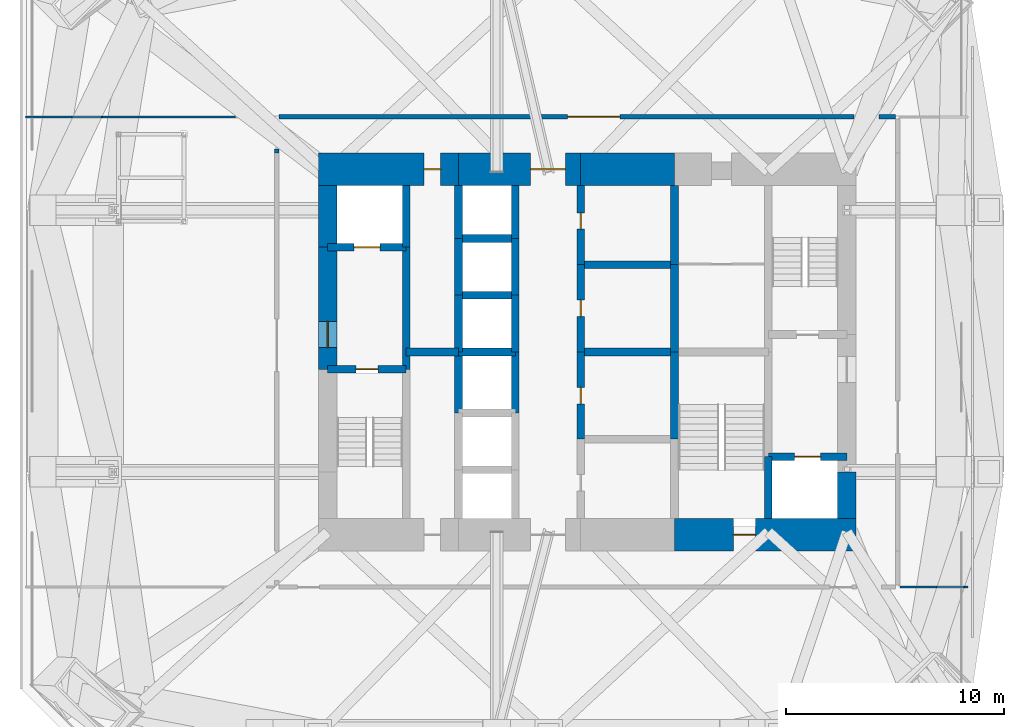
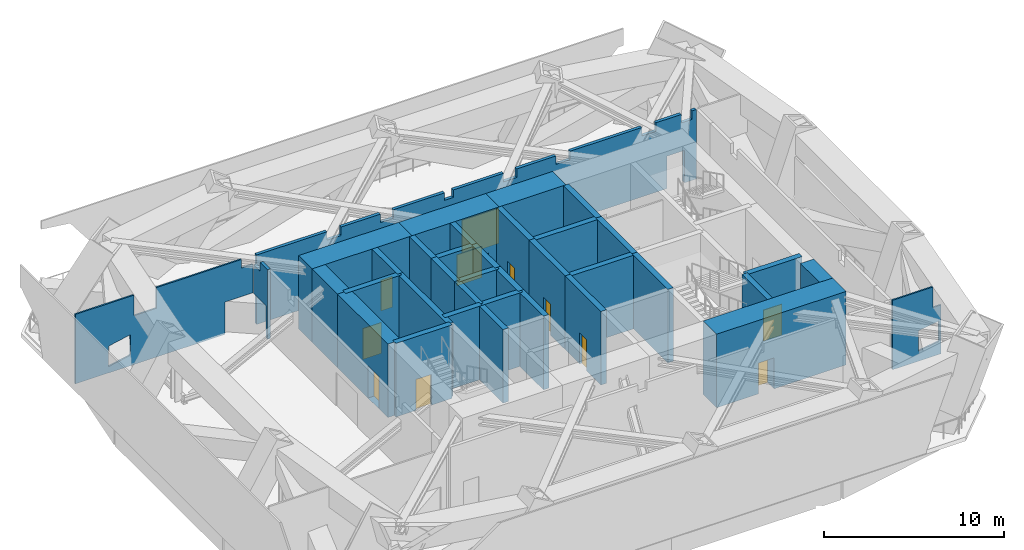
# One storey, part 6 of 11: 37 walls, 11 doors, 11 openings.
"""IFC4 building model written with IfcOpenShell, lengths in metres."""

from ifc_helpers import new_model, si_unit, direction, frame, frame_2d, origin, place, context, subcontext, project, spatial, polyline, rectangle, outline, extrude, material, layer, layer_set, constituent, constituent_set, type_object, element, fill, save


model = new_model("IFC4")

# Units and contexts
model_context = context("Model", 3, precision=1e-05, world=origin(), true_north=direction((0.0, 1.0)))
body_context = subcontext(model_context, "Body", "Model", "MODEL_VIEW")
ifc_project = project(units=[si_unit("LENGTHUNIT", "METRE"), si_unit("AREAUNIT", "SQUARE_METRE"), si_unit("VOLUMEUNIT", "CUBIC_METRE"), si_unit("PLANEANGLEUNIT", "RADIAN"), si_unit("MASSUNIT", "GRAM", prefix="KILO")], contexts=[model_context])

# Site, building, storey
site_placement = place(None, origin())
site = spatial("IfcSite", under=ifc_project, at=site_placement, CompositionType="ELEMENT")
building_placement = place(site_placement, origin())
building = spatial("IfcBuilding", under=site, at=building_placement, Name="Jalousie Tower", CompositionType="ELEMENT")
storey_placement = place(building_placement, frame((0.0, 0.0, 144.35009765625)))
storey = spatial("IfcBuildingStorey", under=building, at=storey_placement, Name="L39", CompositionType="ELEMENT", Elevation=144.35009765625)

# Wall, opening, door
ifc_material_1 = material(Name="Concrete f'c 120 MPa", Category="concrete")
ifc_layer_1 = layer(ifc_material_1, 1.5)
ifc_layer_set_1 = layer_set([ifc_layer_1], Name="Concrete f'c 120 MPa")
wall_type_1 = type_object("IfcWallType", Name="CORE WALL 1500", PredefinedType="SHEAR", material=ifc_layer_set_1)
wall_1_placement = place(storey_placement, frame((35.89990234375, 10.125, 0.0), z_axis=(0.0, 0.0, 1.0), x_axis=(1.0, 0.0, 0.0)))
wall_1 = element("IfcWall", 1, at=wall_1_placement, inside=storey, type_object=wall_type_1, Name="Core wall SD L39", PredefinedType="SHEAR", context=body_context, shape_type="SweptSolid", body=[
    extrude(rectangle(XDim=8.3251953125, YDim=1.5, at=frame_2d((4.16259765625, 0.0))), origin(), (0.0, 0.0, 1.0), 5.0),
])
opening_1_placement = place(wall_1_placement, frame((2.699951171875, 0.0, 0.0)))
opening_1 = element("IfcOpeningElement", 2, at=opening_1_placement, cuts=wall_1, Name="Opening D10", PredefinedType="OPENING", context=body_context, shape_type="SweptSolid", body=[
    extrude(rectangle(XDim=1.0, YDim=2.10009765625, at=frame_2d((0.5, 1.050048828125))), frame((0.0, 0.760009765625, 0.0), z_axis=(0.0, -1.0, 0.0), x_axis=(1.0, 0.0, 0.0)), (0.0, 0.0, 1.0), 1.52001953125),
])
ifc_material_2 = material(Name="Steel fire door", Category="steel")
door_type_1 = type_object("IfcDoorType", Name="STAIR DOOR 1000", OperationType="SINGLE_SWING_LEFT", PredefinedType="DOOR", material=ifc_material_2)
door_1_placement = place(opening_1_placement, origin())
door_1 = element("IfcDoor", 3, at=door_1_placement, inside=storey, type_object=door_type_1, Name="Exit stair C door", OperationType="SINGLE_SWING_RIGHT", OverallHeight=2.10009765625, OverallWidth=1.0, PredefinedType="DOOR", context=body_context, shape_type="SweptSolid", body=[
    extrude(rectangle(XDim=1.0, YDim=2.10009765625, at=frame_2d((0.5, 1.050048828125))), frame((0.0, 0.02490234375, 0.0), z_axis=(0.0, -1.0, 0.0), x_axis=(1.0, 0.0, 0.0)), (0.0, 0.0, 1.0), 0.050048828125),
])
fill(opening_1, door_1)

# Wall
wall_2_placement = place(storey_placement, frame((35.89990234375, 26.875, 0.0), z_axis=(0.0, 0.0, 1.0), x_axis=(-1.0, 0.0, 0.0)))
element("IfcWall", 4, at=wall_2_placement, inside=storey, type_object=wall_type_1, Name="Core wall NB L39", PredefinedType="SHEAR", context=body_context, shape_type="SweptSolid", body=[
    extrude(rectangle(XDim=4.2998046875, YDim=1.5, at=frame_2d((2.14990234375, 0.0))), origin(), (0.0, 0.0, 1.0), 5.0),
])

# Wall, opening, door
wall_3_placement = place(storey_placement, frame((31.60009765625, 26.875, 0.0), z_axis=(0.0, 0.0, 1.0), x_axis=(-1.0, 0.0, 0.0)))
wall_3 = element("IfcWall", 5, at=wall_3_placement, inside=storey, type_object=wall_type_1, Name="Core wall NC L39", PredefinedType="SHEAR", context=body_context, shape_type="SweptSolid", body=[
    extrude(rectangle(XDim=5.60009765625, YDim=1.5, at=frame_2d((2.800048828125, 0.0))), origin(), (0.0, 0.0, 1.0), 5.0),
])
opening_2_placement = place(wall_3_placement, frame((0.699951171875, 0.0, 0.0)))
opening_2 = element("IfcOpeningElement", 6, at=opening_2_placement, cuts=wall_3, Name="Opening D15", PredefinedType="OPENING", context=body_context, shape_type="SweptSolid", body=[
    extrude(rectangle(XDim=1.60009765625, YDim=2.10009765625, at=frame_2d((0.800048828125, 1.050048828125))), frame((0.0, 0.760009765625, 0.0), z_axis=(0.0, -1.0, 0.0), x_axis=(1.0, 0.0, 0.0)), (0.0, 0.0, 1.0), 1.52001953125),
])
ifc_material_3 = material(Name="Steel fire door", Category="steel")
door_type_2 = type_object("IfcDoorType", Name="LIFT LOBBY DOOR 1600", OperationType="DOUBLE_DOOR_SINGLE_SWING", PredefinedType="DOOR", material=ifc_material_3)
door_2_placement = place(opening_2_placement, origin())
door_2 = element("IfcDoor", 7, at=door_2_placement, inside=storey, type_object=door_type_2, Name="Lift lobby north door", OperationType="DOUBLE_DOOR_SINGLE_SWING", OverallHeight=2.10009765625, OverallWidth=1.60009765625, PredefinedType="DOOR", context=body_context, shape_type="SweptSolid", body=[
    extrude(rectangle(XDim=1.60009765625, YDim=2.10009765625, at=frame_2d((0.800048828125, 1.050048828125))), frame((0.0, 0.02490234375, 0.0), z_axis=(0.0, -1.0, 0.0), x_axis=(1.0, 0.0, 0.0)), (0.0, 0.0, 1.0), 0.050048828125),
])
fill(opening_2, door_2)

wall_4_placement = place(storey_placement, frame((26.0, 26.875, 0.0), z_axis=(0.0, 0.0, 1.0), x_axis=(-1.0, 0.0, 0.0)))
wall_4 = element("IfcWall", 8, at=wall_4_placement, inside=storey, type_object=wall_type_1, Name="Core wall ND L39", PredefinedType="SHEAR", context=body_context, shape_type="SweptSolid", body=[
    extrude(rectangle(XDim=6.425048828125, YDim=1.5, at=frame_2d((3.21240234375, 0.0))), origin(), (0.0, 0.0, 1.0), 5.0),
])
opening_3_placement = place(wall_4_placement, frame((0.824951171875, 0.0, 0.0)))
opening_3 = element("IfcOpeningElement", 9, at=opening_3_placement, cuts=wall_4, Name="Opening D16", PredefinedType="OPENING", context=body_context, shape_type="SweptSolid", body=[
    extrude(rectangle(XDim=0.75, YDim=2.10009765625, at=frame_2d((0.375, 1.050048828125))), frame((0.0, 0.760009765625, 0.0), z_axis=(0.0, -1.0, 0.0), x_axis=(1.0, 0.0, 0.0)), (0.0, 0.0, 1.0), 1.52001953125),
])
ifc_material_4 = material(Name="Steel fire door", Category="steel")
door_type_3 = type_object("IfcDoorType", Name="RISER DOOR 750", OperationType="SINGLE_SWING_LEFT", PredefinedType="DOOR", material=ifc_material_4)
door_3_placement = place(opening_3_placement, origin())
door_3 = element("IfcDoor", 10, at=door_3_placement, inside=storey, type_object=door_type_3, Name="North riser door", OperationType="SINGLE_SWING_RIGHT", OverallHeight=2.10009765625, OverallWidth=0.75, PredefinedType="DOOR", context=body_context, shape_type="SweptSolid", body=[
    extrude(rectangle(XDim=0.75, YDim=2.10009765625, at=frame_2d((0.375, 1.050048828125))), frame((0.0, 0.02490234375, 0.0), z_axis=(0.0, -1.0, 0.0), x_axis=(1.0, 0.0, 0.0)), (0.0, 0.0, 1.0), 0.050048828125),
])
fill(opening_3, door_3)

# Walls
ifc_material_5 = material(Name="Concrete f'c 120 MPa", Category="concrete")
ifc_layer_2 = layer(ifc_material_5, 0.35009765625)
ifc_layer_set_2 = layer_set([ifc_layer_2], Name="Concrete f'c 120 MPa")
wall_type_2 = type_object("IfcWallType", Name="CORE WALL 350", PredefinedType="SHEAR", material=ifc_layer_set_2)
wall_5_placement = place(storey_placement, frame((23.60009765625, 17.699951171875, 0.0), z_axis=(0.0, 0.0, 1.0), x_axis=(0.0, 1.0, 0.0)))
element("IfcWall", 11, at=wall_5_placement, inside=storey, type_object=wall_type_2, Name="Core wall X23.6B L39", PredefinedType="SHEAR", context=body_context, shape_type="SweptSolid", body=[
    extrude(rectangle(XDim=5.60009765625, YDim=0.35009765625, at=frame_2d((2.800048828125, 0.0))), origin(), (0.0, 0.0, 1.0), 5.0),
])
wall_6_placement = place(storey_placement, frame((23.60009765625, 23.300048828125, 0.0), z_axis=(0.0, 0.0, 1.0), x_axis=(0.0, 1.0, 0.0)))
element("IfcWall", 12, at=wall_6_placement, inside=storey, type_object=wall_type_2, Name="Core wall X23.6C L39", PredefinedType="SHEAR", context=body_context, shape_type="SweptSolid", body=[
    extrude(rectangle(XDim=2.824951171875, YDim=0.35009765625, at=frame_2d((1.41259765625, 0.0))), origin(), (0.0, 0.0, 1.0), 5.0),
])
wall_7_placement = place(storey_placement, frame((26.0, 15.699951171875, 0.0), z_axis=(0.0, 0.0, 1.0), x_axis=(0.0, 1.0, 0.0)))
element("IfcWall", 13, at=wall_7_placement, inside=storey, type_object=wall_type_2, Name="Core wall X26C L39", PredefinedType="SHEAR", context=body_context, shape_type="SweptSolid", body=[
    extrude(rectangle(XDim=2.800048828125, YDim=0.35009765625, at=frame_2d((1.39990234375, 0.0))), origin(), (0.0, 0.0, 1.0), 5.0),
])
wall_8_placement = place(storey_placement, frame((26.0, 18.5, 0.0), z_axis=(0.0, 0.0, 1.0), x_axis=(0.0, 1.0, 0.0)))
element("IfcWall", 14, at=wall_8_placement, inside=storey, type_object=wall_type_2, Name="Core wall X26D L39", PredefinedType="SHEAR", context=body_context, shape_type="SweptSolid", body=[
    extrude(rectangle(XDim=2.60009765625, YDim=0.35009765625, at=frame_2d((1.300048828125, 0.0))), origin(), (0.0, 0.0, 1.0), 5.0),
])
wall_9_placement = place(storey_placement, frame((26.0, 21.10009765625, 0.0), z_axis=(0.0, 0.0, 1.0), x_axis=(0.0, 1.0, 0.0)))
element("IfcWall", 15, at=wall_9_placement, inside=storey, type_object=wall_type_2, Name="Core wall X26E L39", PredefinedType="SHEAR", context=body_context, shape_type="SweptSolid", body=[
    extrude(rectangle(XDim=2.599853515625, YDim=0.35009765625, at=frame_2d((1.2998046875, 0.0))), origin(), (0.0, 0.0, 1.0), 5.0),
])
wall_10_placement = place(storey_placement, frame((26.0, 23.699951171875, 0.0), z_axis=(0.0, 0.0, 1.0), x_axis=(0.0, 1.0, 0.0)))
element("IfcWall", 16, at=wall_10_placement, inside=storey, type_object=wall_type_2, Name="Core wall X26F L39", PredefinedType="SHEAR", context=body_context, shape_type="SweptSolid", body=[
    extrude(rectangle(XDim=2.425048828125, YDim=0.35009765625, at=frame_2d((1.21240234375, 0.0))), origin(), (0.0, 0.0, 1.0), 5.0),
])
wall_11_placement = place(storey_placement, frame((28.60009765625, 15.699951171875, 0.0), z_axis=(0.0, 0.0, 1.0), x_axis=(0.0, 1.0, 0.0)))
element("IfcWall", 17, at=wall_11_placement, inside=storey, type_object=wall_type_2, Name="Core wall X28.6C L39", PredefinedType="SHEAR", context=body_context, shape_type="SweptSolid", body=[
    extrude(rectangle(XDim=2.800048828125, YDim=0.35009765625, at=frame_2d((1.39990234375, 0.0))), origin(), (0.0, 0.0, 1.0), 5.0),
])
wall_12_placement = place(storey_placement, frame((28.60009765625, 18.5, 0.0), z_axis=(0.0, 0.0, 1.0), x_axis=(0.0, 1.0, 0.0)))
element("IfcWall", 18, at=wall_12_placement, inside=storey, type_object=wall_type_2, Name="Core wall X28.6D L39", PredefinedType="SHEAR", context=body_context, shape_type="SweptSolid", body=[
    extrude(rectangle(XDim=2.60009765625, YDim=0.35009765625, at=frame_2d((1.300048828125, 0.0))), origin(), (0.0, 0.0, 1.0), 5.0),
])
wall_13_placement = place(storey_placement, frame((28.60009765625, 21.10009765625, 0.0), z_axis=(0.0, 0.0, 1.0), x_axis=(0.0, 1.0, 0.0)))
element("IfcWall", 19, at=wall_13_placement, inside=storey, type_object=wall_type_2, Name="Core wall X28.6E L39", PredefinedType="SHEAR", context=body_context, shape_type="SweptSolid", body=[
    extrude(rectangle(XDim=2.599853515625, YDim=0.35009765625, at=frame_2d((1.2998046875, 0.0))), origin(), (0.0, 0.0, 1.0), 5.0),
])
wall_14_placement = place(storey_placement, frame((28.60009765625, 23.699951171875, 0.0), z_axis=(0.0, 0.0, 1.0), x_axis=(0.0, 1.0, 0.0)))
element("IfcWall", 20, at=wall_14_placement, inside=storey, type_object=wall_type_2, Name="Core wall X28.6F L39", PredefinedType="SHEAR", context=body_context, shape_type="SweptSolid", body=[
    extrude(rectangle(XDim=2.425048828125, YDim=0.35009765625, at=frame_2d((1.21240234375, 0.0))), origin(), (0.0, 0.0, 1.0), 5.0),
])

# Wall, opening, door
wall_15_placement = place(storey_placement, frame((31.60009765625, 14.5, 0.0), z_axis=(0.0, 0.0, 1.0), x_axis=(0.0, 1.0, 0.0)))
wall_15 = element("IfcWall", 21, at=wall_15_placement, inside=storey, type_object=wall_type_2, Name="Core wall X31.6B L39", PredefinedType="SHEAR", context=body_context, shape_type="SweptSolid", body=[
    extrude(rectangle(XDim=4.0, YDim=0.35009765625, at=frame_2d((2.0, 0.0))), origin(), (0.0, 0.0, 1.0), 5.0),
])
opening_4_placement = place(wall_15_placement, frame((1.625, 0.0, 0.0)))
opening_4 = element("IfcOpeningElement", 22, at=opening_4_placement, cuts=wall_15, Name="Opening D16", PredefinedType="OPENING", context=body_context, shape_type="SweptSolid", body=[
    extrude(rectangle(XDim=0.75, YDim=2.10009765625, at=frame_2d((0.375, 1.050048828125))), frame((0.0, 0.18505859375, 0.0), z_axis=(0.0, -1.0, 0.0), x_axis=(1.0, 0.0, 0.0)), (0.0, 0.0, 1.0), 0.3701171875),
])
door_4_placement = place(opening_4_placement, frame((0.75, 0.0, 0.0), z_axis=(0.0, 0.0, 1.0), x_axis=(-1.0, 0.0, 0.0)))
door_4 = element("IfcDoor", 23, at=door_4_placement, inside=storey, type_object=door_type_3, Name="Electrical Room door", OperationType="SINGLE_SWING_RIGHT", OverallHeight=2.10009765625, OverallWidth=0.75, PredefinedType="DOOR", context=body_context, shape_type="SweptSolid", body=[
    extrude(rectangle(XDim=0.75, YDim=2.10009765625, at=frame_2d((0.375, 1.050048828125))), frame((0.0, 0.02490234375, 0.0), z_axis=(0.0, -1.0, 0.0), x_axis=(1.0, 0.0, 0.0)), (0.0, 0.0, 1.0), 0.050048828125),
])
fill(opening_4, door_4)

wall_16_placement = place(storey_placement, frame((31.60009765625, 18.5, 0.0), z_axis=(0.0, 0.0, 1.0), x_axis=(0.0, 1.0, 0.0)))
wall_16 = element("IfcWall", 24, at=wall_16_placement, inside=storey, type_object=wall_type_2, Name="Core wall X31.6C L39", PredefinedType="SHEAR", context=body_context, shape_type="SweptSolid", body=[
    extrude(rectangle(XDim=4.0, YDim=0.35009765625, at=frame_2d((2.0, 0.0))), origin(), (0.0, 0.0, 1.0), 5.0),
])
opening_5_placement = place(wall_16_placement, frame((1.625, 0.0, 0.0)))
opening_5 = element("IfcOpeningElement", 25, at=opening_5_placement, cuts=wall_16, Name="Opening D16", PredefinedType="OPENING", context=body_context, shape_type="SweptSolid", body=[
    extrude(rectangle(XDim=0.75, YDim=2.10009765625, at=frame_2d((0.375, 1.050048828125))), frame((0.0, 0.18505859375, 0.0), z_axis=(0.0, -1.0, 0.0), x_axis=(1.0, 0.0, 0.0)), (0.0, 0.0, 1.0), 0.3701171875),
])
door_5_placement = place(opening_5_placement, frame((0.75, 0.0, 0.0), z_axis=(0.0, 0.0, 1.0), x_axis=(-1.0, 0.0, 0.0)))
door_5 = element("IfcDoor", 26, at=door_5_placement, inside=storey, type_object=door_type_3, Name="Telecom Room door", OperationType="SINGLE_SWING_RIGHT", OverallHeight=2.10009765625, OverallWidth=0.75, PredefinedType="DOOR", context=body_context, shape_type="SweptSolid", body=[
    extrude(rectangle(XDim=0.75, YDim=2.10009765625, at=frame_2d((0.375, 1.050048828125))), frame((0.0, 0.02490234375, 0.0), z_axis=(0.0, -1.0, 0.0), x_axis=(1.0, 0.0, 0.0)), (0.0, 0.0, 1.0), 0.050048828125),
])
fill(opening_5, door_5)

wall_17_placement = place(storey_placement, frame((31.60009765625, 22.5, 0.0), z_axis=(0.0, 0.0, 1.0), x_axis=(0.0, 1.0, 0.0)))
wall_17 = element("IfcWall", 27, at=wall_17_placement, inside=storey, type_object=wall_type_2, Name="Core wall X31.6D L39", PredefinedType="SHEAR", context=body_context, shape_type="SweptSolid", body=[
    extrude(rectangle(XDim=3.625, YDim=0.35009765625, at=frame_2d((1.8125, 0.0))), origin(), (0.0, 0.0, 1.0), 5.0),
])
opening_6_placement = place(wall_17_placement, frame((1.625, 0.0, 0.0)))
opening_6 = element("IfcOpeningElement", 28, at=opening_6_placement, cuts=wall_17, Name="Opening D16", PredefinedType="OPENING", context=body_context, shape_type="SweptSolid", body=[
    extrude(rectangle(XDim=0.75, YDim=2.10009765625, at=frame_2d((0.375, 1.050048828125))), frame((0.0, 0.18505859375, 0.0), z_axis=(0.0, -1.0, 0.0), x_axis=(1.0, 0.0, 0.0)), (0.0, 0.0, 1.0), 0.3701171875),
])
door_6_placement = place(opening_6_placement, frame((0.75, 0.0, 0.0), z_axis=(0.0, 0.0, 1.0), x_axis=(-1.0, 0.0, 0.0)))
door_6 = element("IfcDoor", 29, at=door_6_placement, inside=storey, type_object=door_type_3, Name="Water Services Room door", OperationType="SINGLE_SWING_LEFT", OverallHeight=2.10009765625, OverallWidth=0.75, PredefinedType="DOOR", context=body_context, shape_type="SweptSolid", body=[
    extrude(rectangle(XDim=0.75, YDim=2.10009765625, at=frame_2d((0.375, 1.050048828125))), frame((0.0, 0.02490234375, 0.0), z_axis=(0.0, -1.0, 0.0), x_axis=(1.0, 0.0, 0.0)), (0.0, 0.0, 1.0), 0.050048828125),
])
fill(opening_6, door_6)

# Walls
for number, where, z_axis, x_axis, name in (
    (30, (35.89990234375, 14.5, 0.0), (0.0, 0.0, 1.0), (0.0, 1.0, 0.0), "Core wall X35.9B L39"),
    (31, (35.89990234375, 18.5, 0.0), (0.0, 0.0, 1.0), (0.0, 1.0, 0.0), "Core wall X35.9C L39"),
):
    element("IfcWall", number, at=place(storey_placement, frame(where, z_axis=z_axis, x_axis=x_axis)), inside=storey, type_object=wall_type_2, Name=name, PredefinedType="SHEAR", context=body_context, shape_type="SweptSolid", body=[
        extrude(rectangle(XDim=4.0, YDim=0.35009765625, at=frame_2d((2.0, 0.0))), origin(), (0.0, 0.0, 1.0), 5.0),
    ])
wall_18_placement = place(storey_placement, frame((35.89990234375, 22.5, 0.0), z_axis=(0.0, 0.0, 1.0), x_axis=(0.0, 1.0, 0.0)))
element("IfcWall", 32, at=wall_18_placement, inside=storey, type_object=wall_type_2, Name="Core wall X35.9D L39", PredefinedType="SHEAR", context=body_context, shape_type="SweptSolid", body=[
    extrude(rectangle(XDim=3.625, YDim=0.35009765625, at=frame_2d((1.8125, 0.0))), origin(), (0.0, 0.0, 1.0), 5.0),
])
wall_19_placement = place(storey_placement, frame((40.199951171875, 10.875, 0.0), z_axis=(0.0, 0.0, 1.0), x_axis=(0.0, 1.0, 0.0)))
element("IfcWall", 33, at=wall_19_placement, inside=storey, type_object=wall_type_2, Name="Core wall X40.2A L39", PredefinedType="SHEAR", context=body_context, shape_type="SweptSolid", body=[
    extrude(rectangle(XDim=2.824951171875, YDim=0.35009765625, at=frame_2d((1.41259765625, 0.0))), origin(), (0.0, 0.0, 1.0), 5.0),
])

# Wall, opening, door
wall_20_placement = place(storey_placement, frame((20.0, 17.699951171875, 0.0), z_axis=(0.0, 0.0, 1.0), x_axis=(1.0, 0.0, 0.0)))
wall_20 = element("IfcWall", 34, at=wall_20_placement, inside=storey, type_object=wall_type_2, Name="Core wall Y20-17.7 L39", PredefinedType="SHEAR", context=body_context, shape_type="SweptSolid", body=[
    extrude(rectangle(XDim=3.60009765625, YDim=0.35009765625, at=frame_2d((1.800048828125, 0.0))), origin(), (0.0, 0.0, 1.0), 5.0),
])
opening_7_placement = place(wall_20_placement, frame((1.300048828125, 0.0, 0.0)))
opening_7 = element("IfcOpeningElement", 35, at=opening_7_placement, cuts=wall_20, Name="Opening D10", PredefinedType="OPENING", context=body_context, shape_type="SweptSolid", body=[
    extrude(rectangle(XDim=1.0, YDim=2.10009765625, at=frame_2d((0.5, 1.050048828125))), frame((0.0, 0.18505859375, 0.0), z_axis=(0.0, -1.0, 0.0), x_axis=(1.0, 0.0, 0.0)), (0.0, 0.0, 1.0), 0.3701171875),
])
door_7_placement = place(opening_7_placement, frame((1.0, 0.0, 0.0), z_axis=(0.0, 0.0, 1.0), x_axis=(-1.0, 0.0, 0.0)))
door_7 = element("IfcDoor", 36, at=door_7_placement, inside=storey, type_object=door_type_1, Name="Exit stair A door", OperationType="SINGLE_SWING_RIGHT", OverallHeight=2.10009765625, OverallWidth=1.0, PredefinedType="DOOR", context=body_context, shape_type="SweptSolid", body=[
    extrude(rectangle(XDim=1.0, YDim=2.10009765625, at=frame_2d((0.5, 1.050048828125))), frame((0.0, 0.02490234375, 0.0), z_axis=(0.0, -1.0, 0.0), x_axis=(1.0, 0.0, 0.0)), (0.0, 0.0, 1.0), 0.050048828125),
])
fill(opening_7, door_7)

wall_21_placement = place(storey_placement, frame((20.0, 23.300048828125, 0.0), z_axis=(0.0, 0.0, 1.0), x_axis=(1.0, 0.0, 0.0)))
wall_21 = element("IfcWall", 37, at=wall_21_placement, inside=storey, type_object=wall_type_2, Name="Core wall Y20-23.3 L39", PredefinedType="SHEAR", context=body_context, shape_type="SweptSolid", body=[
    extrude(rectangle(XDim=3.60009765625, YDim=0.35009765625, at=frame_2d((1.800048828125, 0.0))), origin(), (0.0, 0.0, 1.0), 5.0),
])
opening_8_placement = place(wall_21_placement, frame((1.199951171875, 0.0, 0.0)))
opening_8 = element("IfcOpeningElement", 38, at=opening_8_placement, cuts=wall_21, Name="Opening LD2", PredefinedType="OPENING", context=body_context, shape_type="SweptSolid", body=[
    extrude(rectangle(XDim=1.199951171875, YDim=2.10009765625, at=frame_2d((0.60009765625, 1.050048828125))), frame((0.0, 0.18505859375, 0.0), z_axis=(0.0, -1.0, 0.0), x_axis=(1.0, 0.0, 0.0)), (0.0, 0.0, 1.0), 0.3701171875),
])
ifc_material_6 = material(Name="Steel lift landing door", Category="steel")
door_type_4 = type_object("IfcDoorType", Name="LIFT LANDING DOOR 1200", OperationType="SLIDING_TO_LEFT", PredefinedType="DOOR", material=ifc_material_6)
door_8_placement = place(opening_8_placement, origin())
door_8 = element("IfcDoor", 39, at=door_8_placement, inside=storey, type_object=door_type_4, Name="Lift F1 landing door", OperationType="SLIDING_TO_LEFT", OverallHeight=2.10009765625, OverallWidth=1.199951171875, PredefinedType="DOOR", context=body_context, shape_type="SweptSolid", body=[
    extrude(rectangle(XDim=1.199951171875, YDim=2.10009765625, at=frame_2d((0.60009765625, 1.050048828125))), frame((0.0, 0.02490234375, 0.0), z_axis=(0.0, -1.0, 0.0), x_axis=(1.0, 0.0, 0.0)), (0.0, 0.0, 1.0), 0.050048828125),
])
fill(opening_8, door_8)

# Walls
wall_22_placement = place(storey_placement, frame((23.60009765625, 18.5, 0.0), z_axis=(0.0, 0.0, 1.0), x_axis=(1.0, 0.0, 0.0)))
element("IfcWall", 40, at=wall_22_placement, inside=storey, type_object=wall_type_2, Name="Core wall Y23.6-18.5 L39", PredefinedType="SHEAR", context=body_context, shape_type="SweptSolid", body=[
    extrude(rectangle(XDim=2.39990234375, YDim=0.35009765625, at=frame_2d((1.199951171875, 0.0))), origin(), (0.0, 0.0, 1.0), 5.0),
])
for number, where, z_axis, x_axis, name in (
    (41, (26.0, 18.5, 0.0), (0.0, 0.0, 1.0), (1.0, 0.0, 0.0), "Core wall Y26-18.5 L39"),
    (42, (26.0, 21.10009765625, 0.0), (0.0, 0.0, 1.0), (1.0, 0.0, 0.0), "Core wall Y26-21.1 L39"),
    (43, (26.0, 23.699951171875, 0.0), (0.0, 0.0, 1.0), (1.0, 0.0, 0.0), "Core wall Y26-23.7 L39"),
):
    element("IfcWall", number, at=place(storey_placement, frame(where, z_axis=z_axis, x_axis=x_axis)), inside=storey, type_object=wall_type_2, Name=name, PredefinedType="SHEAR", context=body_context, shape_type="SweptSolid", body=[
        extrude(rectangle(XDim=2.60009765625, YDim=0.35009765625, at=frame_2d((1.300048828125, 0.0))), origin(), (0.0, 0.0, 1.0), 5.0),
    ])
for number, where, z_axis, x_axis, name in (
    (44, (31.60009765625, 18.5, 0.0), (0.0, 0.0, 1.0), (1.0, 0.0, 0.0), "Core wall Y31.6-18.5 L39"),
    (45, (31.60009765625, 22.5, 0.0), (0.0, 0.0, 1.0), (1.0, 0.0, 0.0), "Core wall Y31.6-22.5 L39"),
):
    element("IfcWall", number, at=place(storey_placement, frame(where, z_axis=z_axis, x_axis=x_axis)), inside=storey, type_object=wall_type_2, Name=name, PredefinedType="SHEAR", context=body_context, shape_type="SweptSolid", body=[
        extrude(rectangle(XDim=4.2998046875, YDim=0.35009765625, at=frame_2d((2.14990234375, 0.0))), origin(), (0.0, 0.0, 1.0), 5.0),
    ])

# Wall, opening, door
wall_23_placement = place(storey_placement, frame((40.199951171875, 13.699951171875, 0.0), z_axis=(0.0, 0.0, 1.0), x_axis=(1.0, 0.0, 0.0)))
wall_23 = element("IfcWall", 46, at=wall_23_placement, inside=storey, type_object=wall_type_2, Name="Core wall Y40.2-13.7 L39", PredefinedType="SHEAR", context=body_context, shape_type="SweptSolid", body=[
    extrude(rectangle(XDim=3.60009765625, YDim=0.35009765625, at=frame_2d((1.800048828125, 0.0))), origin(), (0.0, 0.0, 1.0), 5.0),
])
opening_9_placement = place(wall_23_placement, frame((1.199951171875, 0.0, 0.0)))
opening_9 = element("IfcOpeningElement", 47, at=opening_9_placement, cuts=wall_23, Name="Opening LD2", PredefinedType="OPENING", context=body_context, shape_type="SweptSolid", body=[
    extrude(rectangle(XDim=1.199951171875, YDim=2.10009765625, at=frame_2d((0.60009765625, 1.050048828125))), frame((0.0, 0.18505859375, 0.0), z_axis=(0.0, -1.0, 0.0), x_axis=(1.0, 0.0, 0.0)), (0.0, 0.0, 1.0), 0.3701171875),
])
door_9_placement = place(opening_9_placement, origin())
door_9 = element("IfcDoor", 48, at=door_9_placement, inside=storey, type_object=door_type_4, Name="Lift F2 landing door", OperationType="SLIDING_TO_LEFT", OverallHeight=2.10009765625, OverallWidth=1.199951171875, PredefinedType="DOOR", context=body_context, shape_type="SweptSolid", body=[
    extrude(rectangle(XDim=1.199951171875, YDim=2.10009765625, at=frame_2d((0.60009765625, 1.050048828125))), frame((0.0, 0.02490234375, 0.0), z_axis=(0.0, -1.0, 0.0), x_axis=(1.0, 0.0, 0.0)), (0.0, 0.0, 1.0), 0.050048828125),
])
fill(opening_9, door_9)

# Wall
ifc_material_7 = material(Name="Concrete f'c 120 MPa", Category="concrete")
ifc_layer_3 = layer(ifc_material_7, 0.85009765625)
ifc_layer_set_3 = layer_set([ifc_layer_3], Name="Concrete f'c 120 MPa")
wall_type_3 = type_object("IfcWallType", Name="CORE WALL 850", PredefinedType="SHEAR", material=ifc_layer_set_3)
wall_24_placement = place(storey_placement, frame((20.0, 26.125, 0.0), z_axis=(0.0, 0.0, 1.0), x_axis=(0.0, -1.0, 0.0)))
element("IfcWall", 49, at=wall_24_placement, inside=storey, type_object=wall_type_3, Name="Core wall WA L39", PredefinedType="SHEAR", context=body_context, shape_type="SweptSolid", body=[
    extrude(rectangle(XDim=2.824951171875, YDim=0.85009765625, at=frame_2d((1.41259765625, 0.0))), origin(), (0.0, 0.0, 1.0), 5.0),
])

# Wall, opening, door
wall_25_placement = place(storey_placement, frame((20.0, 23.300048828125, 0.0), z_axis=(0.0, 0.0, 1.0), x_axis=(0.0, -1.0, 0.0)))
wall_25 = element("IfcWall", 50, at=wall_25_placement, inside=storey, type_object=wall_type_3, Name="Core wall WB L39", PredefinedType="SHEAR", context=body_context, shape_type="SweptSolid", body=[
    extrude(rectangle(XDim=5.60009765625, YDim=0.85009765625, at=frame_2d((2.800048828125, 0.0))), origin(), (0.0, 0.0, 1.0), 5.0),
])
opening_10_placement = place(wall_25_placement, frame((3.39990234375, 0.0, 0.0)))
opening_10 = element("IfcOpeningElement", 51, at=opening_10_placement, cuts=wall_25, Name="Opening D11", PredefinedType="OPENING", context=body_context, shape_type="SweptSolid", body=[
    extrude(rectangle(XDim=1.199951171875, YDim=2.199951171875, at=frame_2d((0.60009765625, 1.10009765625))), frame((0.0, 0.43505859375, 0.0), z_axis=(0.0, -1.0, 0.0), x_axis=(1.0, 0.0, 0.0)), (0.0, 0.0, 1.0), 0.8701171875),
])
ifc_material_8 = material(Name="Steel fire door", Category="steel")
door_type_5 = type_object("IfcDoorType", Name="FIRE DOOR 1200", OperationType="SINGLE_SWING_LEFT", PredefinedType="DOOR", material=ifc_material_8)
door_10_placement = place(opening_10_placement, origin())
door_10 = element("IfcDoor", 52, at=door_10_placement, inside=storey, type_object=door_type_5, Name="Fire-fighting lobby A door", OperationType="SINGLE_SWING_RIGHT", OverallHeight=2.199951171875, OverallWidth=1.199951171875, PredefinedType="DOOR", context=body_context, shape_type="SweptSolid", body=[
    extrude(rectangle(XDim=1.199951171875, YDim=2.199951171875, at=frame_2d((0.60009765625, 1.10009765625))), frame((0.0, 0.02490234375, 0.0), z_axis=(0.0, -1.0, 0.0), x_axis=(1.0, 0.0, 0.0)), (0.0, 0.0, 1.0), 0.050048828125),
])
fill(opening_10, door_10)

# Wall
wall_26_placement = place(storey_placement, frame((43.800048828125, 10.875, 0.0), z_axis=(0.0, 0.0, 1.0), x_axis=(0.0, 1.0, 0.0)))
element("IfcWall", 53, at=wall_26_placement, inside=storey, type_object=wall_type_3, Name="Core wall EA L39", PredefinedType="SHEAR", context=body_context, shape_type="SweptSolid", body=[
    extrude(rectangle(XDim=2.125, YDim=0.85009765625, at=frame_2d((1.0625, 0.0))), origin(), (0.0, 0.0, 1.0), 5.0),
])

# Wall, opening, door
ifc_material_9 = material(Name="Concrete block ASTM C90", Category="concrete")
ifc_constituent_1 = constituent(ifc_material_9, Name="Body")
ifc_material_10 = material(Name="Render")
ifc_constituent_2 = constituent(ifc_material_10, Name="Finish")
ifc_constituent_set_1 = constituent_set(constituents=[ifc_constituent_1, ifc_constituent_2])
wall_type_4 = type_object("IfcWallType", Name="CORRIDOR WALL 200", PredefinedType="PARTITIONING", material=ifc_constituent_set_1)
wall_27_placement = place(storey_placement, frame((17.77490234375, 29.27490234375, 0.0), z_axis=(0.0, 0.0, 1.0), x_axis=(1.0, 0.0, 0.0)))
wall_27 = element("IfcWall", 54, at=wall_27_placement, inside=storey, type_object=wall_type_4, Name="Corridor Wall 200 L39", PredefinedType="PARTITIONING", context=body_context, shape_type="SweptSolid", body=[
    extrude(outline(polyline([(28.25, 0.0), (28.25, 4.719970703125), (27.983154296875, 4.719970703125), (27.983154296875, 4.140869140625), (27.294677734375, 4.140869140625), (27.294677734375, 4.719970703125), (25.67236328125, 4.719970703125), (25.67236328125, 4.140869140625), (24.748291015625, 4.140869140625), (24.748291015625, 4.719970703125), (20.146240234375, 4.719970703125), (20.146240234375, 4.140869140625), (19.23291015625, 4.140869140625), (19.23291015625, 4.719970703125), (16.72021484375, 4.719970703125), (16.72021484375, 4.140869140625), (15.8642578125, 4.140869140625), (15.8642578125, 4.719970703125), (12.634521484375, 4.719970703125), (12.634521484375, 4.2080078125), (12.0654296875, 4.2080078125), (12.0654296875, 4.719970703125), (8.7978515625, 4.719970703125), (8.7978515625, 4.140869140625), (7.944580078125, 4.140869140625), (7.944580078125, 4.719970703125), (5.431884765625, 4.719970703125), (5.431884765625, 4.140869140625), (4.51611328125, 4.140869140625), (4.51611328125, 4.719970703125), (0.0, 4.719970703125), (0.0, 0.0), (26.357666015625, 0.0), (26.357666015625, 2.199951171875), (27.490234375, 2.199951171875), (27.490234375, 0.0), (28.25, 0.0)]), holes=[polyline([(11.471435546875, 3.377197265625), (11.52099609375, 3.481201171875), (12.064208984375, 3.5390625), (12.064208984375, 3.042236328125), (12.0146484375, 2.93798828125), (11.471435546875, 2.88037109375), (11.471435546875, 3.377197265625)])]), frame((0.0, 0.10009765625, 0.0), z_axis=(0.0, -1.0, 0.0), x_axis=(1.0, 0.0, 0.0)), (0.0, 0.0, 1.0), 0.199951171875),
])
opening_11_placement = place(wall_27_placement, frame((13.22509765625, 0.0, 0.0)))
opening_11 = element("IfcOpeningElement", 55, at=opening_11_placement, cuts=wall_27, Name="Opening D9", PredefinedType="OPENING", context=body_context, shape_type="SweptSolid", body=[
    extrude(rectangle(XDim=2.39990234375, YDim=2.39990234375, at=frame_2d((1.199951171875, 1.199951171875))), frame((0.0, 0.10986328125, 0.0), z_axis=(0.0, -1.0, 0.0), x_axis=(1.0, 0.0, 0.0)), (0.0, 0.0, 1.0), 0.219970703125),
])
ifc_material_11 = material(Name="Steel fire door", Category="steel")
door_type_6 = type_object("IfcDoorType", Name="PLANT DOOR 2400", OperationType="DOUBLE_DOOR_SINGLE_SWING", PredefinedType="DOOR", material=ifc_material_11)
door_11_placement = place(opening_11_placement, origin())
door_11 = element("IfcDoor", 56, at=door_11_placement, inside=storey, type_object=door_type_6, Name="Mechanical plant room door", OperationType="DOUBLE_DOOR_SINGLE_SWING", OverallHeight=2.39990234375, OverallWidth=2.39990234375, PredefinedType="DOOR", context=body_context, shape_type="SweptSolid", body=[
    extrude(rectangle(XDim=2.39990234375, YDim=2.39990234375, at=frame_2d((1.199951171875, 1.199951171875))), frame((0.0, 0.02490234375, 0.0), z_axis=(0.0, -1.0, 0.0), x_axis=(1.0, 0.0, 0.0)), (0.0, 0.0, 1.0), 0.050048828125),
])
fill(opening_11, door_11)

# Walls
wall_28_placement = place(storey_placement, frame((17.675048828125, 27.625, 0.0), z_axis=(0.0, 0.0, 1.0), x_axis=(0.0, 1.0, 0.0)))
element("IfcWall", 57, at=wall_28_placement, inside=storey, type_object=wall_type_4, Name="Corridor Wall 200 L39", PredefinedType="PARTITIONING", context=body_context, shape_type="SweptSolid", body=[
    extrude(outline(polyline([(0.184326171875, 2.199951171875), (1.550048828125, 2.199951171875), (1.550048828125, 4.140869140625), (0.834228515625, 4.140869140625), (0.834228515625, 4.719970703125), (0.0, 4.719970703125), (0.0, 0.0), (0.184326171875, 0.0), (0.184326171875, 2.199951171875)])), frame((0.0, 0.10009765625, 0.0), z_axis=(0.0, -1.0, 0.0), x_axis=(1.0, 0.0, 0.0)), (0.0, 0.0, 1.0), 0.199951171875),
])
ifc_material_12 = material(Name="Gypsum board", Category="gypsum")
ifc_constituent_3 = constituent(ifc_material_12, Name="Body")
ifc_material_13 = material(Name="Light-gauge steel studs ASTM A653 SS Grade 33", Category="steel")
ifc_constituent_4 = constituent(ifc_material_13, Name="Framing")
ifc_constituent_set_2 = constituent_set(constituents=[ifc_constituent_3, ifc_constituent_4])
wall_type_5 = type_object("IfcWallType", Name="PARTITION 100", PredefinedType="PARTITIONING", material=ifc_constituent_set_2)
wall_29_placement = place(storey_placement, frame((46.22509765625, 7.72509765625, 0.0), z_axis=(0.0, 0.0, 1.0), x_axis=(1.0, 0.0, 0.0)))
element("IfcWall", 58, at=wall_29_placement, inside=storey, type_object=wall_type_5, Name="Partition 100 L39", PredefinedType="PARTITIONING", context=body_context, shape_type="SweptSolid", body=[
    extrude(outline(polyline([(0.0, 0.0), (3.125, 0.0), (3.125, 3.31982421875), (2.58740234375, 3.31982421875), (2.58740234375, 4.719970703125), (0.0, 4.719970703125), (0.0, 0.0)]), holes=[polyline([(2.950439453125, 0.873779296875), (1.670654296875, 0.689697265625), (1.670654296875, 2.024169921875), (1.7080078125, 2.07861328125), (2.98779296875, 2.2626953125), (2.98779296875, 0.92822265625), (2.950439453125, 0.873779296875)])]), frame((0.0, 0.050048828125, 0.0), z_axis=(0.0, -1.0, 0.0), x_axis=(1.0, 0.0, 0.0)), (0.0, 0.0, 1.0), 0.10009765625),
])
wall_30_placement = place(storey_placement, frame((6.14990234375, 29.27490234375, 0.0), z_axis=(0.0, 0.0, 1.0), x_axis=(1.0, 0.0, 0.0)))
element("IfcWall", 59, at=wall_30_placement, inside=storey, type_object=wall_type_5, Name="Partition 100 L39", PredefinedType="PARTITIONING", context=body_context, shape_type="SweptSolid", body=[
    extrude(outline(polyline([(9.625732421875, 2.199951171875), (11.425048828125, 2.199951171875), (11.425048828125, 4.140869140625), (10.675537109375, 4.140869140625), (10.675537109375, 4.719970703125), (5.20947265625, 4.719970703125), (5.20947265625, 3.31982421875), (3.77490234375, 3.31982421875), (3.77490234375, 4.719970703125), (0.0, 4.719970703125), (0.0, 0.0), (9.625732421875, 0.0), (9.625732421875, 2.199951171875)]), holes=[polyline([(2.14208984375, 0.428955078125), (2.14208984375, 1.773193359375), (2.194580078125, 1.831298828125), (3.53955078125, 2.106201171875), (3.53955078125, 0.76171875), (3.487060546875, 0.703857421875), (2.14208984375, 0.428955078125)])]), frame((0.0, 0.050048828125, 0.0), z_axis=(0.0, -1.0, 0.0), x_axis=(1.0, 0.0, 0.0)), (0.0, 0.0, 1.0), 0.10009765625),
])

save(model, "model.ifc")
